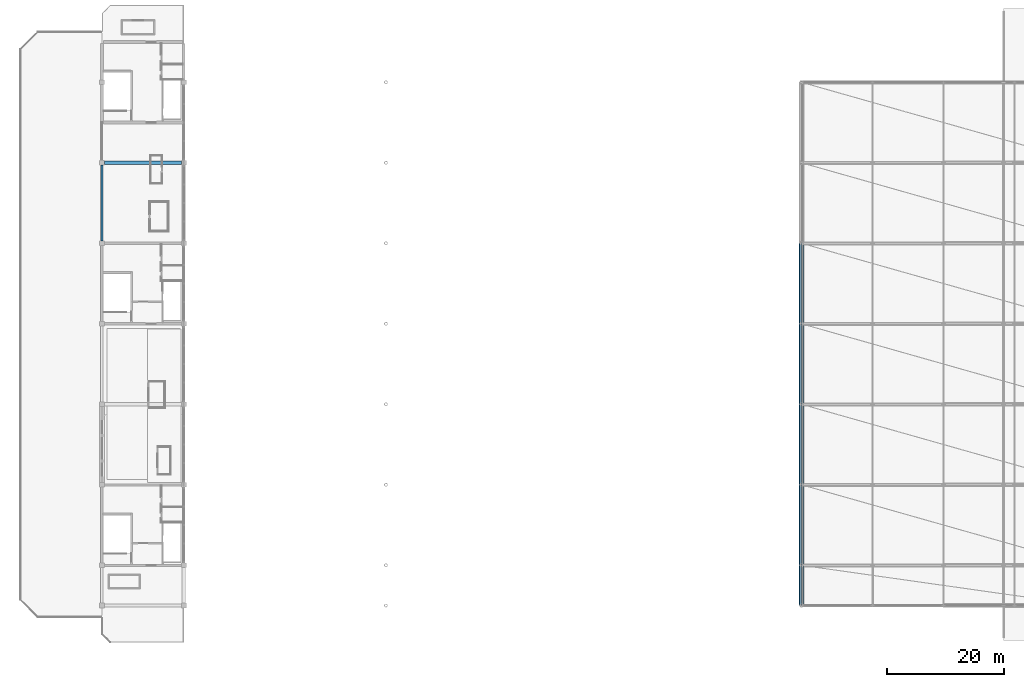
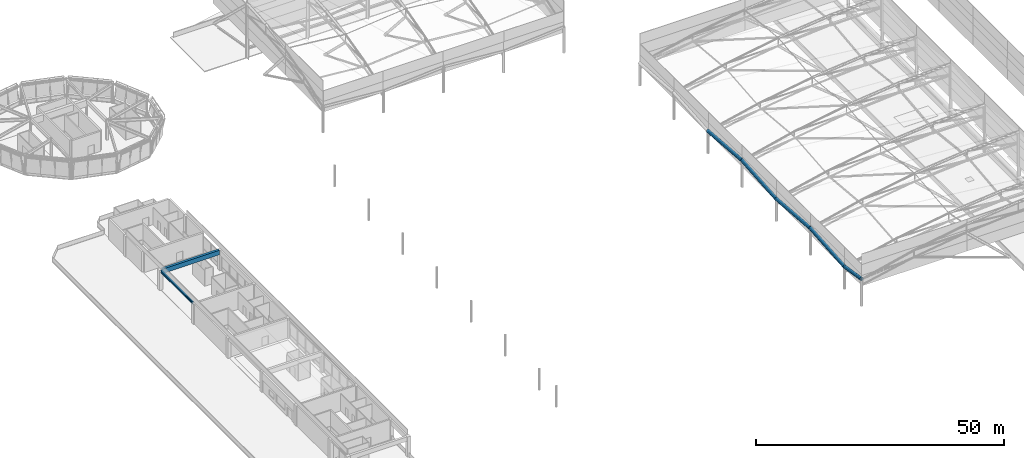
# One storey, part 19 of 113: 7 beams, 5 members.
"""IFC4 building model written with IfcOpenShell, lengths in metres."""

from ifc_helpers import new_model, si_unit, direction, frame, origin, origin_2d, place, context, subcontext, project, spatial, rectangle, hollow_circle, i_section, extrude, material, material_profile, profile_set, type_object, element, save


model = new_model("IFC4")

# Units and contexts
model_context = context("Model", 3, precision=1e-05, world=origin(), true_north=direction((0.0, 1.0)))
body_context = subcontext(model_context, "Body", "Model", "MODEL_VIEW")
ifc_project = project(units=[si_unit("LENGTHUNIT", "METRE"), si_unit("AREAUNIT", "SQUARE_METRE"), si_unit("VOLUMEUNIT", "CUBIC_METRE"), si_unit("PLANEANGLEUNIT", "RADIAN"), si_unit("MASSUNIT", "GRAM", prefix="KILO")], contexts=[model_context])

# Site, building, storey
site_placement = place(None, origin())
site = spatial("IfcSite", under=ifc_project, at=site_placement, CompositionType="ELEMENT")
building_placement = place(site_placement, origin())
building = spatial("IfcBuilding", under=site, at=building_placement, Name="Linyun Crest Stadium", CompositionType="ELEMENT")
storey_placement = place(building_placement, frame((0.0, 0.0, 26.39990234375)))
storey = spatial("IfcBuildingStorey", under=building, at=storey_placement, Name="L06", CompositionType="ELEMENT", Elevation=26.39990234375)

# Beams
ifc_material_1 = material(Name="Steel Q355C", Category="steel")
ifc_material_profile_1 = material_profile(ifc_material_1, i_section(OverallWidth=0.300048828125, OverallDepth=0.587890625, WebThickness=0.011962890625, FlangeThickness=0.02001953125, at=origin_2d()), Name="HM 588x300")
ifc_profile_set_1 = profile_set([ifc_material_profile_1], Name="Steel Q355C")
beam_type_1 = type_object("IfcBeamType", Name="B09", PredefinedType="BEAM", material=ifc_profile_set_1)
beam_1_placement = place(storey_placement, frame((-84.0, 16.27490234375, 4.671142578125), z_axis=(0.0, 1.0, 0.0), x_axis=(-1.0, 0.0, 0.0)))
element("IfcBeam", 1, at=beam_1_placement, inside=storey, type_object=beam_type_1, Name="Frame beam B09 L06 375", PredefinedType="BEAM", context=body_context, shape_type="SweptSolid", body=[
    extrude(i_section(OverallWidth=0.300048828125, OverallDepth=0.587890625, WebThickness=0.011962890625, FlangeThickness=0.02001953125, at=origin_2d()), origin(), (0.0, 0.0, 1.0), 12.9501953125),
])
ifc_material_2 = material(Name="Steel Q420C", Category="steel")
ifc_material_profile_2 = material_profile(ifc_material_2, hollow_circle(Radius=0.406494140625, WallThickness=0.035888671875, at=origin_2d()), Name="CHS 813x36")
ifc_profile_set_2 = profile_set([ifc_material_profile_2], Name="Steel Q420C")
beam_type_2 = type_object("IfcBeamType", Name="HB01", PredefinedType="USERDEFINED", material=ifc_profile_set_2)
beam_2_placement = place(storey_placement, frame((35.5, -46.0, 6.552978515625), z_axis=(0.0, 0.987328801803, -0.158687860688), x_axis=(-1.0, 0.0, 0.0)))
element("IfcBeam", 2, at=beam_2_placement, inside=storey, type_object=beam_type_2, Name="Roof Inner tension ring beam HB01 V2 15", ObjectType="RING BEAM", PredefinedType="USERDEFINED", context=body_context, shape_type="SweptSolid", body=[
    extrude(hollow_circle(Radius=0.406494140625, WallThickness=0.035888671875, at=origin_2d()), origin(), (0.0, 0.0, 1.0), 6.963134765625),
])
for number, where, z_axis, x_axis, name in (
    (3, (35.5, -39.125, 5.447998046875), (0.0, 0.996786513506, 0.080103973014), (-1.0, 0.0, 0.0), "Roof Inner tension ring beam HB01 V2 17"),
    (4, (35.5, -25.375, 6.552978515625), (0.0, 0.996786513506, -0.080103973014), (-1.0, 0.0, 0.0), "Roof Inner tension ring beam HB01 V2 19"),
    (5, (35.5, -11.625, 5.447998046875), (0.0, 0.996786513506, 0.080103973014), (-1.0, 0.0, 0.0), "Roof Inner tension ring beam HB01 V2 21"),
    (6, (35.5, 2.125, 6.552978515625), (0.0, 0.996786513506, -0.080103973014), (-1.0, 0.0, 0.0), "Roof Inner tension ring beam HB01 V2 23"),
):
    element("IfcBeam", number, at=place(storey_placement, frame(where, z_axis=z_axis, x_axis=x_axis)), inside=storey, type_object=beam_type_2, Name=name, ObjectType="RING BEAM", PredefinedType="USERDEFINED", context=body_context, shape_type="SweptSolid", body=[
        extrude(hollow_circle(Radius=0.406494140625, WallThickness=0.035888671875, at=origin_2d()), origin(), (0.0, 0.0, 1.0), 13.79443359375),
    ])

# Members
ifc_material_3 = material(Name="Steel Q355B", Category="steel")
ifc_material_profile_3 = material_profile(ifc_material_3, i_section(OverallWidth=0.14990234375, OverallDepth=0.300048828125, WebThickness=0.007080078125, FlangeThickness=0.009033203125, at=origin_2d()), Name="HN 300x150")
ifc_profile_set_3 = profile_set([ifc_material_profile_3], Name="Steel Q355B")
member_type_1 = type_object("IfcMemberType", Name="PR01", PredefinedType="PURLIN", material=ifc_profile_set_3)
member_1_placement = place(storey_placement, frame((35.5, 2.125, 6.443115234375), z_axis=(0.0, 0.996786513506, -0.080103973014), x_axis=(-1.0, 0.0, 0.0)))
element("IfcMember", 7, at=member_1_placement, inside=storey, type_object=member_type_1, Name="Roof canopy purlin PR01 V2 351", PredefinedType="PURLIN", context=body_context, shape_type="SweptSolid", body=[
    extrude(i_section(OverallWidth=0.14990234375, OverallDepth=0.300048828125, WebThickness=0.007080078125, FlangeThickness=0.009033203125, at=origin_2d()), origin(), (0.0, 0.0, 1.0), 13.79443359375),
])
ifc_material_4 = material(Name="Steel Q355B", Category="steel")
ifc_material_profile_4 = material_profile(ifc_material_4, i_section(OverallWidth=0.199951171875, OverallDepth=0.39990234375, WebThickness=0.008056640625, FlangeThickness=0.012939453125, at=origin_2d()), Name="HN 400x200")
ifc_profile_set_4 = profile_set([ifc_material_profile_4], Name="Steel Q355B")
member_type_2 = type_object("IfcMemberType", Name="PR03", PredefinedType="PURLIN", material=ifc_profile_set_4)
member_2_placement = place(storey_placement, frame((35.5, -46.0, 6.39306640625), z_axis=(0.0, 0.987328801803, -0.158687860688), x_axis=(-1.0, 0.0, 0.0)))
element("IfcMember", 8, at=member_2_placement, inside=storey, type_object=member_type_2, Name="Roof canopy purlin PR03 V2 335", PredefinedType="PURLIN", context=body_context, shape_type="SweptSolid", body=[
    extrude(i_section(OverallWidth=0.199951171875, OverallDepth=0.39990234375, WebThickness=0.008056640625, FlangeThickness=0.012939453125, at=origin_2d()), origin(), (0.0, 0.0, 1.0), 6.963134765625),
])
ifc_material_5 = material(Name="Steel Q355B", Category="steel")
ifc_material_profile_5 = material_profile(ifc_material_5, i_section(OverallWidth=0.199951171875, OverallDepth=0.449951171875, WebThickness=0.009033203125, FlangeThickness=0.013916015625, at=origin_2d()), Name="HN 450x200")
ifc_profile_set_5 = profile_set([ifc_material_profile_5], Name="Steel Q355B")
member_type_3 = type_object("IfcMemberType", Name="PR04", PredefinedType="PURLIN", material=ifc_profile_set_5)
member_3_placement = place(storey_placement, frame((35.5, -39.125, 5.26318359375), z_axis=(0.0, 0.996786513506, 0.080103973014), x_axis=(-1.0, 0.0, 0.0)))
element("IfcMember", 9, at=member_3_placement, inside=storey, type_object=member_type_3, Name="Roof canopy purlin PR04 V2 339", PredefinedType="PURLIN", context=body_context, shape_type="SweptSolid", body=[
    extrude(i_section(OverallWidth=0.199951171875, OverallDepth=0.449951171875, WebThickness=0.009033203125, FlangeThickness=0.013916015625, at=origin_2d()), origin(), (0.0, 0.0, 1.0), 13.79443359375),
])
ifc_material_6 = material(Name="Steel Q355B", Category="steel")
ifc_material_profile_6 = material_profile(ifc_material_6, i_section(OverallWidth=0.175048828125, OverallDepth=0.243896484375, WebThickness=0.007080078125, FlangeThickness=0.010986328125, at=origin_2d()), Name="HM 244x175")
ifc_profile_set_6 = profile_set([ifc_material_profile_6], Name="Steel Q355B")
member_type_4 = type_object("IfcMemberType", Name="PR05", PredefinedType="PURLIN", material=ifc_profile_set_6)
member_4_placement = place(storey_placement, frame((35.5, -25.375, 6.47119140625), z_axis=(0.0, 0.996786513506, -0.080103973014), x_axis=(-1.0, 0.0, 0.0)))
element("IfcMember", 10, at=member_4_placement, inside=storey, type_object=member_type_4, Name="Roof canopy purlin PR05 V2 343", PredefinedType="PURLIN", context=body_context, shape_type="SweptSolid", body=[
    extrude(i_section(OverallWidth=0.175048828125, OverallDepth=0.243896484375, WebThickness=0.007080078125, FlangeThickness=0.010986328125, at=origin_2d()), origin(), (0.0, 0.0, 1.0), 13.79443359375),
])
ifc_material_7 = material(Name="Steel Q355B", Category="steel")
ifc_material_profile_7 = material_profile(ifc_material_7, i_section(OverallWidth=0.199951171875, OverallDepth=0.2939453125, WebThickness=0.008056640625, FlangeThickness=0.011962890625, at=origin_2d()), Name="HM 294x200")
ifc_profile_set_7 = profile_set([ifc_material_profile_7], Name="Steel Q355B")
member_type_5 = type_object("IfcMemberType", Name="PR06", PredefinedType="PURLIN", material=ifc_profile_set_7)
member_5_placement = place(storey_placement, frame((35.5, -11.625, 5.341064453125), z_axis=(0.0, 0.996786513506, 0.080103973014), x_axis=(-1.0, 0.0, 0.0)))
element("IfcMember", 11, at=member_5_placement, inside=storey, type_object=member_type_5, Name="Roof canopy purlin PR06 V2 347", PredefinedType="PURLIN", context=body_context, shape_type="SweptSolid", body=[
    extrude(i_section(OverallWidth=0.199951171875, OverallDepth=0.2939453125, WebThickness=0.008056640625, FlangeThickness=0.011962890625, at=origin_2d()), origin(), (0.0, 0.0, 1.0), 13.79443359375),
])

# Beam
ifc_material_8 = material(Name="Concrete C50", Category="concrete")
ifc_material_profile_8 = material_profile(ifc_material_8, rectangle(XDim=0.550048828125, YDim=1.10009765625, at=origin_2d()), Name="RCB 1100x550")
ifc_profile_set_8 = profile_set([ifc_material_profile_8], Name="Concrete C50")
beam_type_3 = type_object("IfcBeamType", Name="TB01", PredefinedType="USERDEFINED", material=ifc_profile_set_8)
beam_3_placement = place(storey_placement, frame((-83.60009765625, 29.625, 4.4150390625), z_axis=(1.0, 0.0, 0.0), x_axis=(0.0, 1.0, 0.0)))
element("IfcBeam", 12, at=beam_3_placement, inside=storey, type_object=beam_type_3, Name="Frame beam TB01 L06 371", ObjectType="GIRDER", PredefinedType="USERDEFINED", context=body_context, shape_type="SweptSolid", body=[
    extrude(rectangle(XDim=0.550048828125, YDim=1.10009765625, at=origin_2d()), origin(), (0.0, 0.0, 1.0), 13.2001953125),
])

save(model, "model.ifc")
